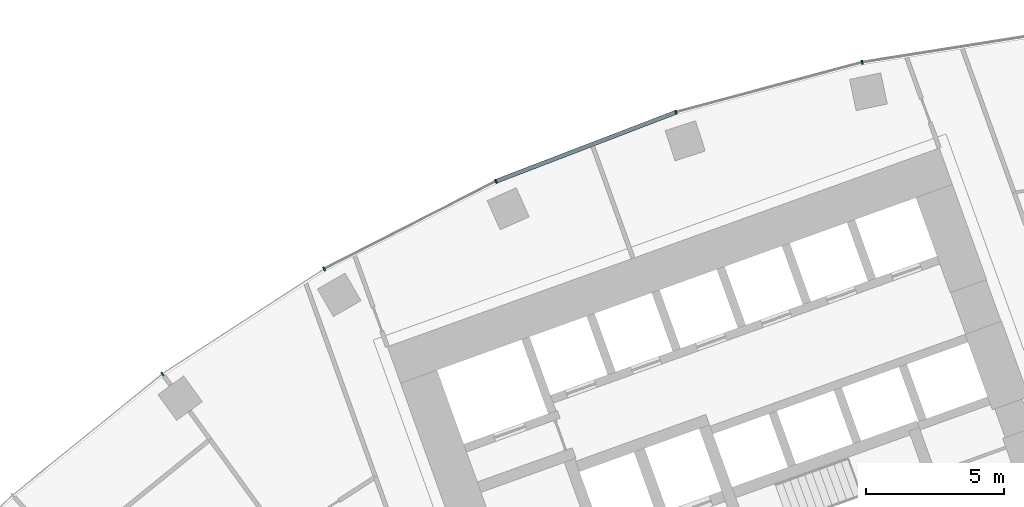
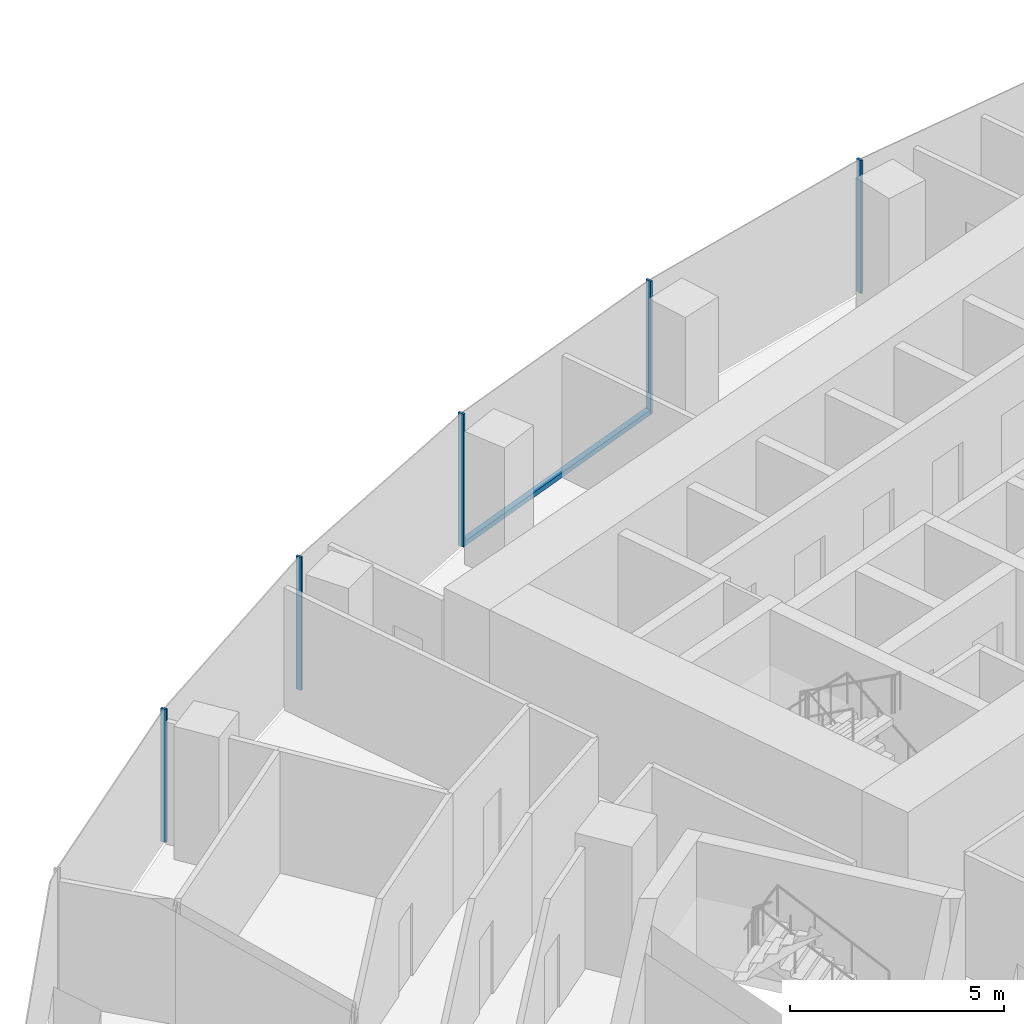
# One storey, part 6 of 21: 6 members, 1 element without a shape of its own.
"""IFC4 building model written with IfcOpenShell, lengths in metres."""

from ifc_helpers import new_model, si_unit, direction, frame, origin, origin_2d, place, context, subcontext, project, spatial, rectangle, extrude, material, layer, layer_set, material_profile, profile_set, type_object, element, aggregate, save


model = new_model("IFC4")

# Units and contexts
model_context = context("Model", 3, precision=1e-05, world=origin(), true_north=direction((0.0, 1.0)))
body_context = subcontext(model_context, "Body", "Model", "MODEL_VIEW")
ifc_project = project(units=[si_unit("LENGTHUNIT", "METRE"), si_unit("AREAUNIT", "SQUARE_METRE"), si_unit("VOLUMEUNIT", "CUBIC_METRE"), si_unit("PLANEANGLEUNIT", "RADIAN"), si_unit("MASSUNIT", "GRAM", prefix="KILO")], contexts=[model_context])

# Site, building, storey
site_placement = place(None, origin())
site = spatial("IfcSite", under=ifc_project, at=site_placement, CompositionType="ELEMENT")
building_placement = place(site_placement, origin())
building = spatial("IfcBuilding", under=site, at=building_placement, Name="Stone Belt Terrace Tower", CompositionType="ELEMENT")
storey_placement = place(building_placement, frame((0.0, 0.0, 94.60009765625)))
storey = spatial("IfcBuildingStorey", under=building, at=storey_placement, Name="L22", CompositionType="ELEMENT", Elevation=94.60009765625)

# Curtain wall, members
ifc_material = material(Name="Aluminium 6063-T6 anodised frame", Category="aluminium")
ifc_layer = layer(ifc_material, 0.14990234375)
ifc_layer_set = layer_set([ifc_layer], Name="CW-A unitised convex-face curtain wall")
curtain_wall_type = type_object("IfcCurtainWallType", Name="CW-A unitised convex-face curtain wall", PredefinedType="NOTDEFINED", material=ifc_layer_set)
curtain_wall_placement = place(storey_placement, origin())
curtain_wall = element("IfcCurtainWall", 1, at=curtain_wall_placement, inside=storey, type_object=curtain_wall_type, Name="CW-A convex face L22", PredefinedType="NOTDEFINED")
ifc_material_profile_1 = material_profile(ifc_material, rectangle(XDim=0.14990234375, YDim=0.06005859375, at=origin_2d()), Name="Aluminium 6063-T6 60x150")
ifc_profile_set_1 = profile_set([ifc_material_profile_1], Name="Aluminium 6063-T6 anodised frame")
member_type_1 = type_object("IfcMemberType", Name="CW-A mullion 60 x 150", PredefinedType="MULLION", material=ifc_profile_set_1)
member_1_placement = place(storey_placement, frame((-13.841796875, 65.120361328125, 0.0), z_axis=(0.0, 0.0, 1.0), x_axis=(0.207911690818, -0.978147600734, 0.0)))
member_1 = element("IfcMember", 2, at=member_1_placement, type_object=member_type_1, Name="CW-A mullion 12", PredefinedType="MULLION", context=body_context, shape_type="SweptSolid", body=[
    extrude(rectangle(XDim=0.14990234375, YDim=0.06005859375, at=origin_2d()), origin(), (0.0, 0.0, 1.0), 3.7998046875),
])
member_2_placement = place(storey_placement, frame((-20.57275390625, 63.316650390625, 0.0), z_axis=(0.0, 0.0, 1.0), x_axis=(0.309016994375, -0.951056516295, 0.0)))
member_2 = element("IfcMember", 3, at=member_2_placement, type_object=member_type_1, Name="CW-A mullion 13", PredefinedType="MULLION", context=body_context, shape_type="SweptSolid", body=[
    extrude(rectangle(XDim=0.14990234375, YDim=0.06005859375, at=origin_2d()), origin(), (0.0, 0.0, 1.0), 3.7998046875),
])
member_3_placement = place(storey_placement, frame((-27.07861328125, 60.8193359375, 0.0), z_axis=(0.0, 0.0, 1.0), x_axis=(0.406736643076, -0.913545457643, 0.0)))
member_3 = element("IfcMember", 4, at=member_3_placement, type_object=member_type_1, Name="CW-A mullion 14", PredefinedType="MULLION", context=body_context, shape_type="SweptSolid", body=[
    extrude(rectangle(XDim=0.14990234375, YDim=0.06005859375, at=origin_2d()), origin(), (0.0, 0.0, 1.0), 3.7998046875),
])
member_4_placement = place(storey_placement, frame((-33.28759765625, 57.65576171875, 0.0), z_axis=(0.0, 0.0, 1.0), x_axis=(0.5, -0.866025403784, 0.0)))
member_4 = element("IfcMember", 5, at=member_4_placement, type_object=member_type_1, Name="CW-A mullion 15", PredefinedType="MULLION", context=body_context, shape_type="SweptSolid", body=[
    extrude(rectangle(XDim=0.14990234375, YDim=0.06005859375, at=origin_2d()), origin(), (0.0, 0.0, 1.0), 3.7998046875),
])
member_5_placement = place(storey_placement, frame((-39.1318359375, 53.8603515625, 0.0), z_axis=(0.0, 0.0, 1.0), x_axis=(0.587785252292, -0.809016994375, 0.0)))
member_5 = element("IfcMember", 6, at=member_5_placement, type_object=member_type_1, Name="CW-A mullion 16", PredefinedType="MULLION", context=body_context, shape_type="SweptSolid", body=[
    extrude(rectangle(XDim=0.14990234375, YDim=0.06005859375, at=origin_2d()), origin(), (0.0, 0.0, 1.0), 3.7998046875),
])
ifc_material_profile_2 = material_profile(ifc_material, rectangle(XDim=0.14990234375, YDim=0.139892578125, at=origin_2d()), Name="Aluminium 6063-T6 150x140")
ifc_profile_set_2 = profile_set([ifc_material_profile_2], Name="Aluminium 6063-T6 anodised frame")
member_type_2 = type_object("IfcMemberType", Name="CW-A transom 140 x 150", PredefinedType="USERDEFINED", material=ifc_profile_set_2)
member_6_placement = place(storey_placement, frame((-20.6044921875, 63.304443359375, 0.06982421875), z_axis=(-0.933585210269, -0.358355487146, 0.0), x_axis=(0.358355487146, -0.933585210269, 0.0)))
member_6 = element("IfcMember", 7, at=member_6_placement, type_object=member_type_2, Name="CW-A transom 13.1", ObjectType="TRANSOM", PredefinedType="USERDEFINED", context=body_context, shape_type="SweptSolid", body=[
    extrude(rectangle(XDim=0.14990234375, YDim=0.139892578125, at=origin_2d()), origin(), (0.0, 0.0, 1.0), 6.900634765625),
])
aggregate(curtain_wall, [member_1, member_2, member_3, member_4, member_5, member_6])

save(model, "model.ifc")
